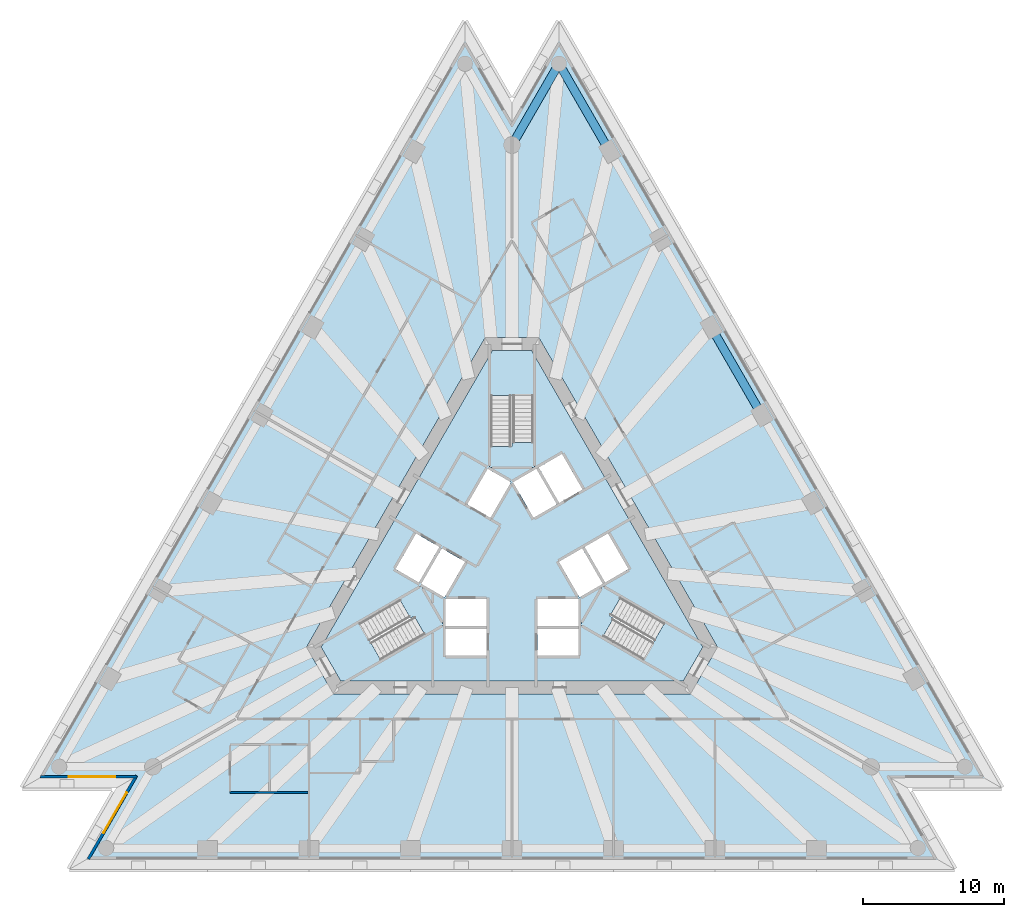
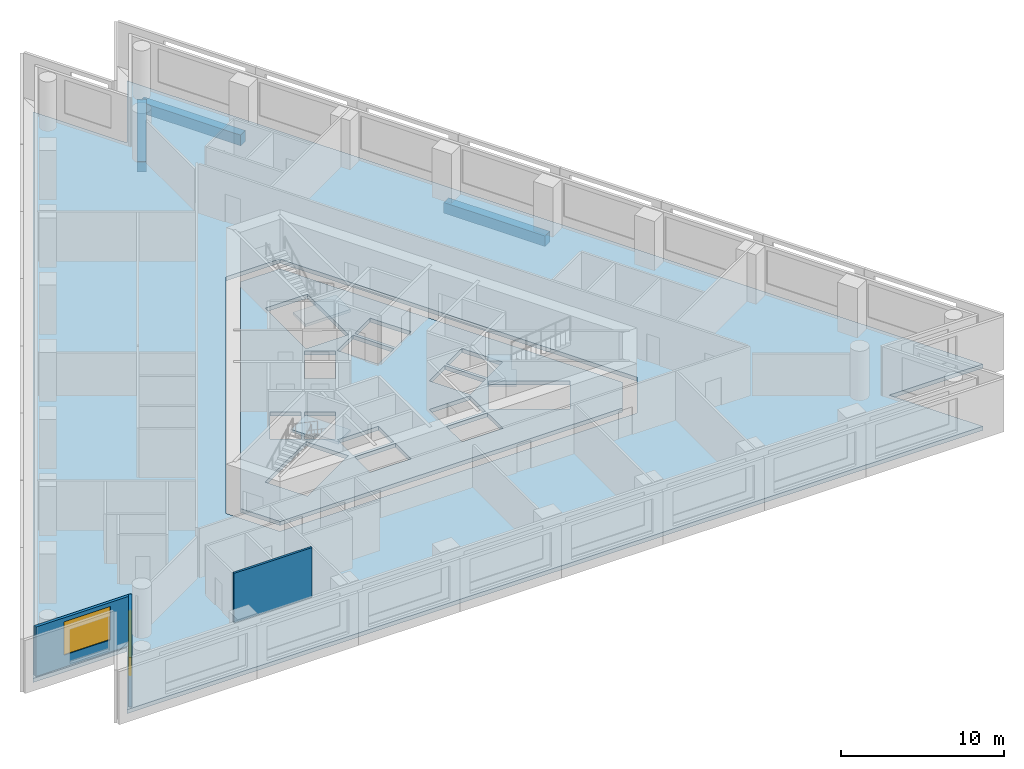
# One storey, part 2 of 11: 5 slabs, 3 beams, 3 walls, 2 windows, 2 openings, 3 elements without a shape of their own.
"""IFC4 building model written with IfcOpenShell, lengths in metres."""

from ifc_helpers import new_model, si_unit, direction, frame, frame_2d, origin, origin_2d, place, context, subcontext, project, spatial, polyline, rectangle, outline, extrude, material, layer, layer_set, layer_usage, material_profile, profile_set, type_object, element, fill, aggregate, save


model = new_model("IFC4")

# Units and contexts
model_context = context("Model", 3, precision=1e-05, world=origin(), true_north=direction((0.0, 1.0)))
body_context = subcontext(model_context, "Body", "Model", "MODEL_VIEW")
ifc_project = project(units=[si_unit("LENGTHUNIT", "METRE"), si_unit("AREAUNIT", "SQUARE_METRE"), si_unit("VOLUMEUNIT", "CUBIC_METRE"), si_unit("PLANEANGLEUNIT", "RADIAN"), si_unit("MASSUNIT", "GRAM", prefix="KILO")], contexts=[model_context])

# Site, building, storey
site_placement = place(None, origin())
site = spatial("IfcSite", under=ifc_project, at=site_placement, CompositionType="ELEMENT")
building_placement = place(site_placement, origin())
building = spatial("IfcBuilding", under=site, at=building_placement, Name="Triada Interchange Tower", CompositionType="ELEMENT")
storey_placement = place(building_placement, frame((0.0, 0.0, 87.300048828125)))
storey = spatial("IfcBuildingStorey", under=building, at=storey_placement, Name="L19", CompositionType="ELEMENT", Elevation=87.300048828125)

# Beams
ifc_material_1 = material(Name="Concrete C50/60", Category="concrete")
ifc_material_profile = material_profile(ifc_material_1, rectangle(XDim=0.60009765625, YDim=0.800048828125, at=origin_2d()), Name="RC 600x800")
ifc_profile_set = profile_set([ifc_material_profile], Name="Concrete C50/60")
beam_type = type_object("IfcBeamType", Name="Spandrel beam A RC 600x800", PredefinedType="BEAM", material=ifc_profile_set)
beam_1_placement = place(storey_placement, frame((17.69189453125, 10.214111328125, -0.699951171875), z_axis=(-0.499954846121, 0.866051471819, 0.0), x_axis=(-0.866051471819, -0.499954846121, 0.0)))
element("IfcBeam", 1, at=beam_1_placement, inside=storey, type_object=beam_type, Name="Spandrel beam EA25 L19", PredefinedType="BEAM", context=body_context, shape_type="SweptSolid", body=[
    extrude(rectangle(XDim=0.60009765625, YDim=0.800048828125, at=origin_2d()), origin(), (0.0, 0.0, 1.0), 7.184326171875),
])
beam_2_placement = place(storey_placement, frame((6.9169921875, 28.8779296875, -0.699951171875), z_axis=(-0.500024480384, 0.866011269567, 0.0), x_axis=(-0.866011269567, -0.500024480384, 0.0)))
element("IfcBeam", 2, at=beam_2_placement, inside=storey, type_object=beam_type, Name="Spandrel beam EA28 L19", PredefinedType="BEAM", context=body_context, shape_type="SweptSolid", body=[
    extrude(rectangle(XDim=0.60009765625, YDim=0.800048828125, at=origin_2d()), origin(), (0.0, 0.0, 1.0), 7.183837890625),
])
beam_3_placement = place(storey_placement, frame((3.324951171875, 35.09912109375, -0.699951171875), z_axis=(-0.49999681972, -0.866027239912, 0.0), x_axis=(0.866027239912, -0.49999681972, 0.0)))
element("IfcBeam", 3, at=beam_3_placement, inside=storey, type_object=beam_type, Name="Spandrel beam EA29 L19", PredefinedType="BEAM", context=body_context, shape_type="SweptSolid", body=[
    extrude(rectangle(XDim=0.60009765625, YDim=0.800048828125, at=origin_2d()), origin(), (0.0, 0.0, 1.0), 6.64990234375),
])

# Slabs
ifc_layer_1 = layer(ifc_material_1, 0.300048828125)
ifc_layer_set_1 = layer_set([ifc_layer_1], Name="Floor slab 300")
slab_type_1 = type_object("IfcSlabType", Name="Floor slab 300", PredefinedType="FLOOR", material=ifc_layer_set_1)
slab_1_placement = place(storey_placement, frame((0.0, 0.0, -0.300048828125)))
element("IfcSlab", 4, at=slab_1_placement, inside=storey, type_object=slab_type_1, Name="Floor slab L19", PredefinedType="FLOOR", context=body_context, shape_type="SweptSolid", body=[
    extrude(outline(polyline([(-3.324951171875, 36.89892578125), (-33.617919921875, -15.570068359375), (-26.968017578125, -15.570068359375), (-30.29296875, -21.3291015625), (30.29296875, -21.3291015625), (26.968017578125, -15.570068359375), (33.617919921875, -15.570068359375), (3.324951171875, 36.89892578125), (0.0, 31.139892578125), (-3.324951171875, 36.89892578125)]), holes=[polyline([(1.905029296875, 15.699951171875), (-1.905029296875, 15.699951171875), (-14.549072265625, -6.199951171875), (-12.64404296875, -9.5), (12.64404296875, -9.5), (14.549072265625, -6.199951171875), (1.905029296875, 15.699951171875)])]), origin(), (0.0, 0.0, 1.0), 0.300048828125),
])
slab_2_placement = place(storey_placement, frame((0.0, 0.0, -0.300048828125)))
element("IfcSlab", 5, at=slab_2_placement, inside=storey, type_object=slab_type_1, Name="Core floor slab L19 1", PredefinedType="FLOOR", context=body_context, shape_type="SweptSolid", body=[
    extrude(outline(polyline([(13.510009765625, -6.199951171875), (12.1240234375, -8.60009765625), (-12.1240234375, -8.60009765625), (-13.510009765625, -6.199951171875), (-1.385986328125, 14.800048828125), (1.385986328125, 14.800048828125), (13.510009765625, -6.199951171875)]), holes=[polyline([(9.2958984375, -7.09912109375), (10.7958984375, -4.5009765625), (6.466064453125, -2.0009765625), (4.966064453125, -4.59912109375), (9.2958984375, -7.09912109375)]), polyline([(6.7890625, 1.841064453125), (5.14404296875, 0.89111328125), (6.593994140625, -1.6201171875), (8.239013671875, -0.669921875), (6.7890625, 1.841064453125)]), polyline([(4.969970703125, 0.791015625), (3.324951171875, -0.158935546875), (4.77490234375, -2.669921875), (6.419921875, -1.719970703125), (4.969970703125, 0.791015625)]), polyline([(1.89404296875, 6.52001953125), (3.343994140625, 4.009033203125), (4.989013671875, 4.958984375), (3.5390625, 7.469970703125), (1.89404296875, 6.52001953125)]), polyline([(1.800048828125, -4.89990234375), (1.800048828125, -6.800048828125), (4.699951171875, -6.800048828125), (4.699951171875, -4.89990234375), (1.800048828125, -4.89990234375)]), polyline([(1.800048828125, -2.800048828125), (1.800048828125, -4.031005859375), (1.800048828125, -4.699951171875), (4.699951171875, -4.699951171875), (4.699951171875, -2.800048828125), (1.800048828125, -2.800048828125)]), polyline([(1.52490234375, 2.958984375), (1.68408203125, 3.051025390625), (3.169921875, 3.908935546875), (1.719970703125, 6.419921875), (0.074951171875, 5.469970703125), (1.52490234375, 2.958984375)]), polyline([(1.5, 11.60009765625), (-1.5, 11.60009765625), (-1.5, 6.60009765625), (1.5, 6.60009765625), (1.5, 11.60009765625)]), polyline([(-0.074951171875, 5.469970703125), (-1.719970703125, 6.419921875), (-3.169921875, 3.908935546875), (-1.6298828125, 3.01904296875), (-1.52490234375, 2.958984375), (-0.074951171875, 5.469970703125)]), polyline([(-4.699951171875, -2.800048828125), (-4.699951171875, -4.699951171875), (-1.800048828125, -4.699951171875), (-1.800048828125, -4.031005859375), (-1.800048828125, -2.800048828125), (-4.699951171875, -2.800048828125)]), polyline([(-4.699951171875, -4.89990234375), (-4.699951171875, -6.800048828125), (-1.800048828125, -6.800048828125), (-1.800048828125, -4.89990234375), (-4.699951171875, -4.89990234375)]), polyline([(-4.77490234375, -2.669921875), (-3.324951171875, -0.158935546875), (-4.969970703125, 0.791015625), (-6.419921875, -1.719970703125), (-4.77490234375, -2.669921875)]), polyline([(-10.7958984375, -4.5009765625), (-9.2958984375, -7.09912109375), (-4.966064453125, -4.59912109375), (-6.466064453125, -2.0009765625), (-10.7958984375, -4.5009765625)]), polyline([(-6.593994140625, -1.6201171875), (-5.14404296875, 0.89111328125), (-6.7890625, 1.841064453125), (-8.239013671875, -0.669921875), (-6.593994140625, -1.6201171875)])]), origin(), (0.0, 0.0, 1.0), 0.300048828125),
])

# Stair, slab
ifc_material_2 = material(Name="Concrete C35/45", Category="concrete")
stair_type = type_object("IfcStairType", Name="HALF TURN STAIR 1400", PredefinedType="HALF_TURN_STAIR", material=ifc_material_2)
stair_1_placement = place(storey_placement, origin())
stair_1 = element("IfcStair", 6, at=stair_1_placement, inside=storey, type_object=stair_type, Name="Exit stair S18-1", PredefinedType="HALF_TURN_STAIR")
ifc_layer_2 = layer(ifc_material_2, 0.199951171875)
ifc_layer_set_2 = layer_set([ifc_layer_2], Name="STAIR LANDING 200")
slab_type_2 = type_object("IfcSlabType", Name="STAIR LANDING 200", PredefinedType="LANDING", material=ifc_layer_set_2)
slab_3_placement = place(storey_placement, frame((0.0, 0.0, 1.719970703125)))
slab_3 = element("IfcSlab", 7, at=slab_3_placement, type_object=slab_type_2, Name="S18-1 landing 1", PredefinedType="LANDING", context=body_context, shape_type="SweptSolid", body=[
    extrude(outline(polyline([(1.60009765625, 6.5), (1.60009765625, 8.300048828125), (0.0, 8.300048828125), (0.0, 8.0), (-1.60009765625, 8.0), (-1.60009765625, 6.5), (1.60009765625, 6.5)])), origin(), (0.0, 0.0, 1.0), 0.199951171875),
])
aggregate(stair_1, [slab_3])

stair_2_placement = place(storey_placement, origin())
stair_2 = element("IfcStair", 8, at=stair_2_placement, inside=storey, type_object=stair_type, Name="Exit stair S18-2", PredefinedType="HALF_TURN_STAIR")
slab_4_placement = place(storey_placement, frame((0.0, 0.0, 1.719970703125)))
slab_4 = element("IfcSlab", 9, at=slab_4_placement, type_object=slab_type_2, Name="S18-2 landing 1", PredefinedType="LANDING", context=body_context, shape_type="SweptSolid", body=[
    extrude(outline(polyline([(-6.428955078125, -1.864013671875), (-7.988037109375, -2.763916015625), (-7.18798828125, -4.14990234375), (-6.927978515625, -4.0), (-6.1279296875, -5.385986328125), (-4.8291015625, -4.635986328125), (-6.428955078125, -1.864013671875)])), origin(), (0.0, 0.0, 1.0), 0.199951171875),
])
aggregate(stair_2, [slab_4])

stair_3_placement = place(storey_placement, origin())
stair_3 = element("IfcStair", 10, at=stair_3_placement, inside=storey, type_object=stair_type, Name="Exit stair S18-3", PredefinedType="HALF_TURN_STAIR")
slab_5_placement = place(storey_placement, frame((0.0, 0.0, 1.719970703125)))
slab_5 = element("IfcSlab", 11, at=slab_5_placement, type_object=slab_type_2, Name="S18-3 landing 1", PredefinedType="LANDING", context=body_context, shape_type="SweptSolid", body=[
    extrude(outline(polyline([(4.8291015625, -4.635986328125), (6.387939453125, -5.535888671875), (7.18798828125, -4.14990234375), (6.927978515625, -4.0), (7.72802734375, -2.614013671875), (6.428955078125, -1.864013671875), (4.8291015625, -4.635986328125)])), origin(), (0.0, 0.0, 1.0), 0.199951171875),
])
aggregate(stair_3, [slab_5])

# Wall, opening, window
ifc_material_3 = material(Name="Cement board")
ifc_layer_3 = layer(ifc_material_3, 0.02001953125, Name="Cement board cladding")
ifc_material_4 = material(Name="Sheathing board")
ifc_layer_4 = layer(ifc_material_4, 0.014892578125, Name="Sheathing board")
ifc_material_5 = material(Name="Mineral wool")
ifc_layer_5 = layer(ifc_material_5, 0.14990234375, Name="Mineral wool between steel studs")
ifc_material_6 = material(Name="Gypsum board")
ifc_layer_6 = layer(ifc_material_6, 0.014892578125, Name="Plasterboard lining")
ifc_layer_set_3 = layer_set([ifc_layer_3, ifc_layer_4, ifc_layer_5, ifc_layer_6], Name="External wall 200")
ifc_layer_usage = layer_usage(ifc_layer_set_3, "AXIS2", "POSITIVE", -0.10009765625)
wall_type_1 = type_object("IfcWallType", Name="External wall 200", PredefinedType="ELEMENTEDWALL", material=ifc_layer_set_3)
wall_1_placement = place(storey_placement, frame((-33.362060546875, -15.3701171875, 0.0), z_axis=(0.0, 0.0, 1.0), x_axis=(1.0, 0.0, 0.0)))
wall_1 = element("IfcWall", 12, at=wall_1_placement, inside=storey, type_object=wall_type_1, material=ifc_layer_usage, Name="External wall L19 SW-1", PredefinedType="ELEMENTEDWALL", context=body_context, shape_type="SweptSolid", body=[
    extrude(rectangle(XDim=6.81005859375, YDim=0.199951171875, at=frame_2d((3.405029296875, 0.0))), origin(), (0.0, 0.0, 1.0), 3.699951171875),
])
opening_1_placement = place(wall_1_placement, frame((1.989990234375, 0.0, 0.89990234375)))
opening_1 = element("IfcOpeningElement", 13, at=opening_1_placement, cuts=wall_1, Name="Opening WA09", PredefinedType="OPENING", context=body_context, shape_type="SweptSolid", body=[
    extrude(rectangle(XDim=3.300048828125, YDim=2.5, at=frame_2d((1.64990234375, 1.25))), frame((0.0, 0.10986328125, 0.0), z_axis=(0.0, -1.0, 0.0), x_axis=(1.0, 0.0, 0.0)), (0.0, 0.0, 1.0), 0.219970703125),
])
ifc_material_7 = material(Name="Double glazed aluminium window", Category="aluminium")
window_type = type_object("IfcWindowType", Name="Ribbon window A pocket", PartitioningType="SINGLE_PANEL", PredefinedType="WINDOW", material=ifc_material_7)
window_1_placement = place(opening_1_placement, origin())
window_1 = element("IfcWindow", 14, at=window_1_placement, inside=storey, type_object=window_type, Name="Window L19 SW-1 1", OverallHeight=2.5, OverallWidth=3.300048828125, PartitioningType="SINGLE_PANEL", PredefinedType="WINDOW", context=body_context, shape_type="SweptSolid", body=[
    extrude(rectangle(XDim=3.300048828125, YDim=2.5, at=frame_2d((1.64990234375, 1.25))), frame((0.0, 0.030029296875, 0.0), z_axis=(0.0, -1.0, 0.0), x_axis=(1.0, 0.0, 0.0)), (0.0, 0.0, 1.0), 0.06005859375),
])
fill(opening_1, window_1)

wall_2_placement = place(storey_placement, frame((-26.576904296875, -15.2919921875, 0.0), z_axis=(0.0, 0.0, 1.0), x_axis=(-0.499983120418, -0.866035148996, 0.0)))
wall_2 = element("IfcWall", 15, at=wall_2_placement, inside=storey, type_object=wall_type_1, material=ifc_layer_usage, Name="External wall L19 SW-2", PredefinedType="ELEMENTEDWALL", context=body_context, shape_type="SweptSolid", body=[
    extrude(rectangle(XDim=6.810302734375, YDim=0.199951171875, at=frame_2d((3.4052734375, 0.0))), origin(), (0.0, 0.0, 1.0), 3.699951171875),
])
opening_2_placement = place(wall_2_placement, frame((1.389892578125, 0.0, 0.89990234375)))
opening_2 = element("IfcOpeningElement", 16, at=opening_2_placement, cuts=wall_2, Name="Opening WA10", PredefinedType="OPENING", context=body_context, shape_type="SweptSolid", body=[
    extrude(rectangle(XDim=3.300048828125, YDim=2.5, at=frame_2d((1.64990234375, 1.25))), frame((0.0, 0.10986328125, 0.0), z_axis=(0.0, -1.0, 0.0), x_axis=(1.0, 0.0, 0.0)), (0.0, 0.0, 1.0), 0.219970703125),
])
window_2_placement = place(opening_2_placement, origin())
window_2 = element("IfcWindow", 17, at=window_2_placement, inside=storey, type_object=window_type, Name="Window L19 SW-2 1", OverallHeight=2.5, OverallWidth=3.300048828125, PartitioningType="SINGLE_PANEL", PredefinedType="WINDOW", context=body_context, shape_type="SweptSolid", body=[
    extrude(rectangle(XDim=3.300048828125, YDim=2.5, at=frame_2d((1.64990234375, 1.25))), frame((0.0, 0.030029296875, 0.0), z_axis=(0.0, -1.0, 0.0), x_axis=(1.0, 0.0, 0.0)), (0.0, 0.0, 1.0), 0.06005859375),
])
fill(opening_2, window_2)

# Wall
ifc_material_8 = material(Name="Gypsum board partition")
ifc_layer_7 = layer(ifc_material_8, 0.14990234375)
ifc_layer_set_4 = layer_set([ifc_layer_7], Name="PARTITION 150 EI 90")
wall_type_2 = type_object("IfcWallType", Name="PARTITION 150 EI 90", PredefinedType="PARTITIONING", material=ifc_layer_set_4)
wall_3_placement = place(storey_placement, frame((-19.967041015625, -16.5, 0.0), z_axis=(0.0, 0.0, 1.0), x_axis=(1.0, 0.0, 0.0)))
element("IfcWall", 18, at=wall_3_placement, inside=storey, type_object=wall_type_2, Name="Wall L18 33", PredefinedType="PARTITIONING", context=body_context, shape_type="SweptSolid", body=[
    extrude(rectangle(XDim=5.525146484375, YDim=0.14990234375, at=frame_2d((2.7626953125, 0.0))), origin(), (0.0, 0.0, 1.0), 3.699951171875),
])

save(model, "model.ifc")
